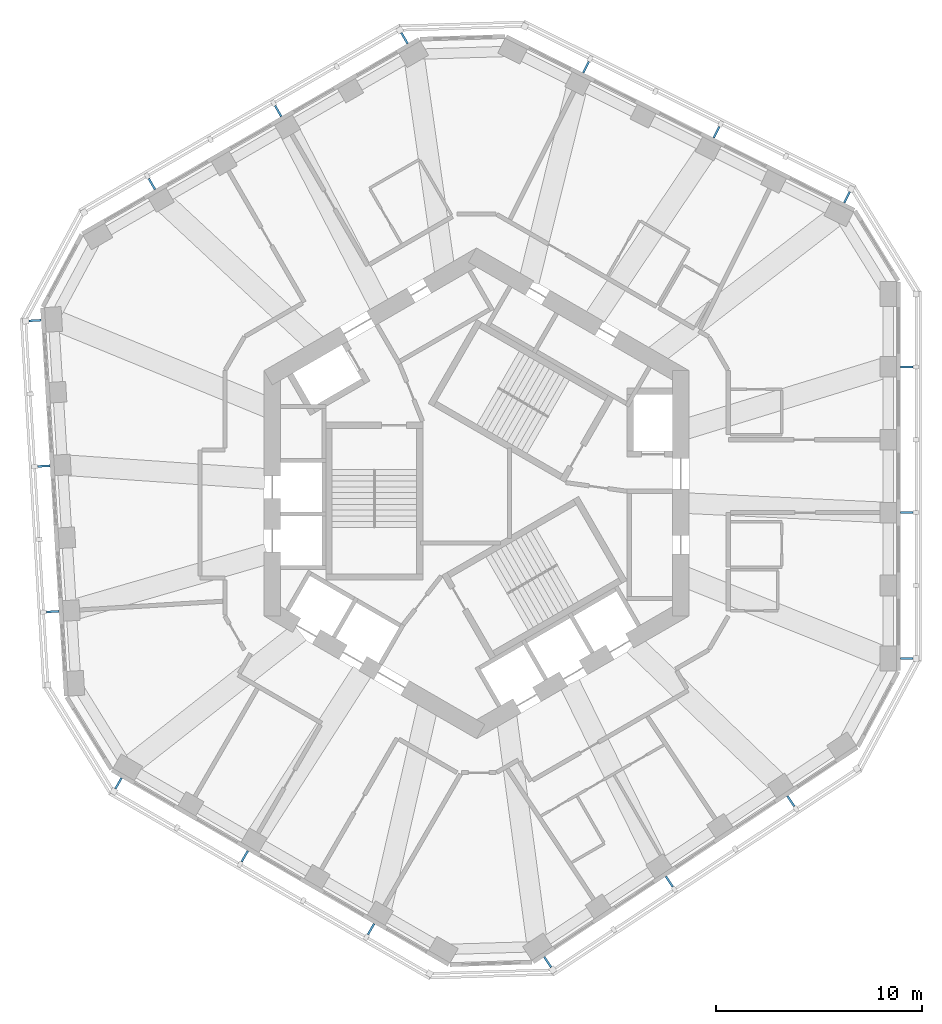
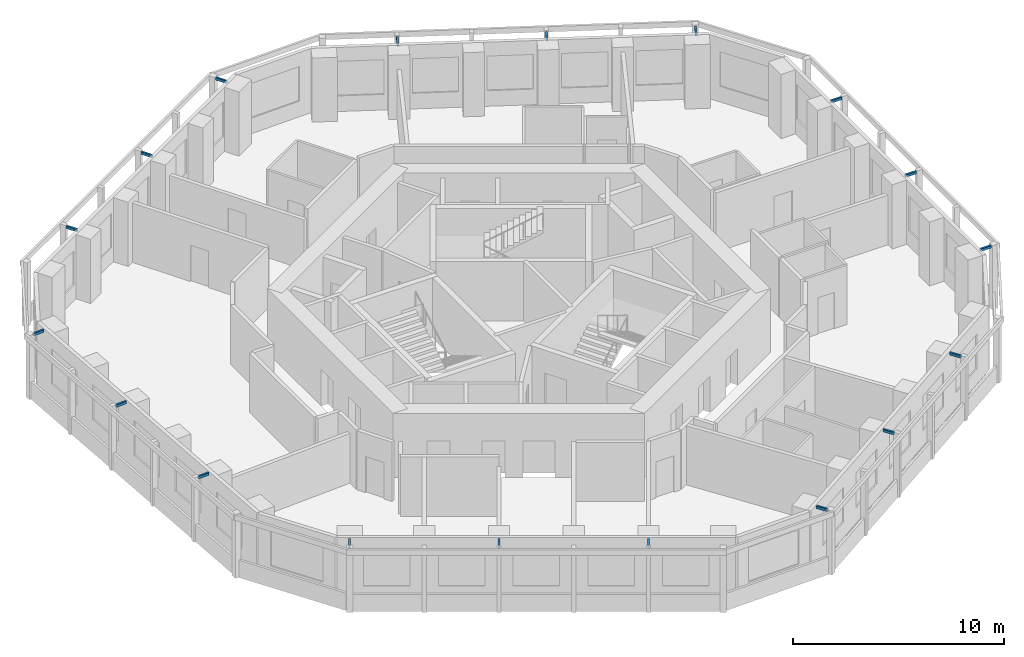
# One storey, part 10 of 11: 18 discrete accessories.
"""IFC4 building model written with IfcOpenShell, lengths in metres."""

from ifc_helpers import new_model, si_unit, direction, frame, origin, origin_2d, place, context, subcontext, project, spatial, rectangle, extrude, material, type_object, element, save


model = new_model("IFC4")

# Units and contexts
model_context = context("Model", 3, precision=1e-05, world=origin(), true_north=direction((0.0, 1.0)))
body_context = subcontext(model_context, "Body", "Model", "MODEL_VIEW")
ifc_project = project(units=[si_unit("LENGTHUNIT", "METRE"), si_unit("AREAUNIT", "SQUARE_METRE"), si_unit("VOLUMEUNIT", "CUBIC_METRE"), si_unit("PLANEANGLEUNIT", "RADIAN"), si_unit("MASSUNIT", "GRAM", prefix="KILO")], contexts=[model_context])

# Site, building, storey
site_placement = place(None, origin())
site = spatial("IfcSite", under=ifc_project, at=site_placement, CompositionType="ELEMENT")
building_placement = place(site_placement, origin())
building = spatial("IfcBuilding", under=site, at=building_placement, Name="Vanh Sen Convention Tower", CompositionType="ELEMENT")
storey_placement = place(building_placement, frame((0.0, 0.0, 225.39990234375)))
storey = spatial("IfcBuildingStorey", under=building, at=storey_placement, Name="L55", CompositionType="ELEMENT", Elevation=225.39990234375)

# Discrete accessories
ifc_material = material(Name="Steel S355", Category="steel")
discrete_accessory_type = type_object("IfcDiscreteAccessoryType", Name="Fin bracket 100 x 150", PredefinedType="BRACKET", material=ifc_material)
for number, where, z_axis, x_axis, name in (
    (1, (20.85009765625, -8.002685546875, 3.500244140625), (0.0, 0.0, 1.0), (1.0, 0.0, 0.0), "Fin bracket E-1 L55"),
    (2, (20.85009765625, -0.935546875, 3.500244140625), (0.0, 0.0, 1.0), (1.0, 0.0, 0.0), "Fin bracket E-3 L55"),
    (3, (20.85009765625, 6.131591796875, 3.500244140625), (0.0, 0.0, 1.0), (1.0, 0.0, 0.0), "Fin bracket E-5 L55"),
    (4, (17.953125, 14.3466796875, 3.500244140625), (0.0, 0.0, 1.0), (0.44619781311, 0.894934361602, 0.0), "Fin bracket NE-1 L55"),
    (5, (11.62841796875, 17.5, 3.500244140625), (0.0, 0.0, 1.0), (0.44619781311, 0.894934361602, 0.0), "Fin bracket NE-3 L55"),
    (6, (5.3037109375, 20.653564453125, 3.500244140625), (0.0, 0.0, 1.0), (0.44619781311, 0.894934361602, 0.0), "Fin bracket NE-5 L55"),
    (7, (-3.494384765625, 22.05810546875, 3.500244140625), (0.0, 0.0, 1.0), (-0.5, 0.866025403784, 0.0), "Fin bracket NW-1 L55"),
    (8, (-9.61474609375, 18.5244140625, 3.500244140625), (0.0, 0.0, 1.0), (-0.5, 0.866025403784, 0.0), "Fin bracket NW-3 L55"),
    (9, (-15.735107421875, 14.99072265625, 3.500244140625), (0.0, 0.0, 1.0), (-0.5, 0.866025403784, 0.0), "Fin bracket NW-5 L55"),
    (10, (-21.401123046875, 8.37451171875, 3.500244140625), (0.0, 0.0, 1.0), (-0.998134798422, -0.061048539535, 0.0), "Fin bracket W-1 L55"),
    (11, (-20.9697265625, 1.3203125, 3.500244140625), (0.0, 0.0, 1.0), (-0.998134798422, -0.061048539535, 0.0), "Fin bracket W-3 L55"),
    (12, (-20.538330078125, -5.733642578125, 3.500244140625), (0.0, 0.0, 1.0), (-0.998134798422, -0.061048539535, 0.0), "Fin bracket W-5 L55"),
    (13, (-17.355712890625, -14.05517578125, 3.500244140625), (0.0, 0.0, 1.0), (-0.5, -0.866025403784, 0.0), "Fin bracket SW-1 L55"),
    (14, (-11.235107421875, -17.5888671875, 3.500244140625), (0.0, 0.0, 1.0), (-0.5, -0.866025403784, 0.0), "Fin bracket SW-3 L55"),
    (15, (-5.11474609375, -21.12255859375, 3.500244140625), (0.0, 0.0, 1.0), (-0.5, -0.866025403784, 0.0), "Fin bracket SW-5 L55"),
    (16, (3.447998046875, -22.72119140625, 3.500244140625), (0.0, 0.0, 1.0), (0.551936985312, -0.833885822067, 0.0), "Fin bracket SE-1 L55"),
    (17, (9.34130859375, -18.820556640625, 3.500244140625), (0.0, 0.0, 1.0), (0.551936985312, -0.833885822067, 0.0), "Fin bracket SE-3 L55"),
    (18, (15.234619140625, -14.919921875, 3.500244140625), (0.0, 0.0, 1.0), (0.551936985312, -0.833885822067, 0.0), "Fin bracket SE-5 L55"),
):
    element("IfcDiscreteAccessory", number, at=place(storey_placement, frame(where, z_axis=z_axis, x_axis=x_axis)), inside=storey, type_object=discrete_accessory_type, Name=name, PredefinedType="BRACKET", context=body_context, shape_type="SweptSolid", body=[
        extrude(rectangle(XDim=0.60009765625, YDim=0.10009765625, at=origin_2d()), origin(), (0.0, 0.0, 1.0), 0.14990234375),
    ])

save(model, "model.ifc")
